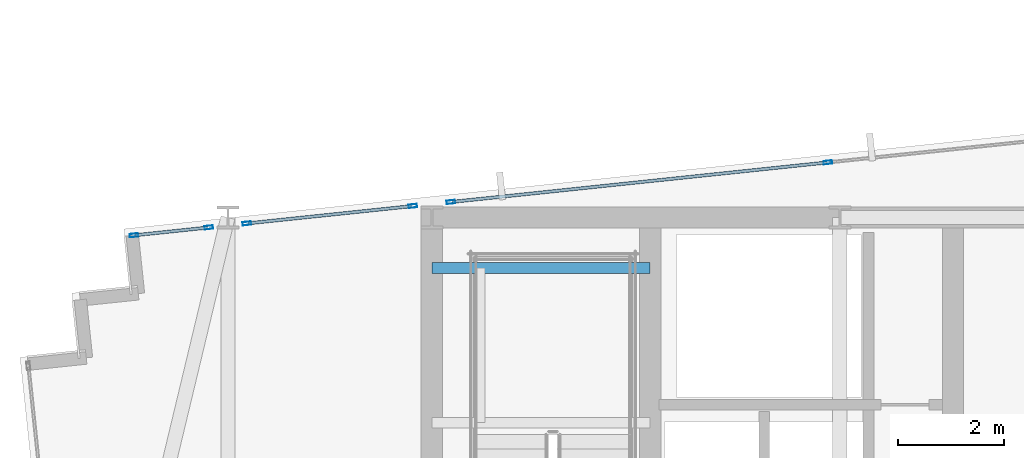
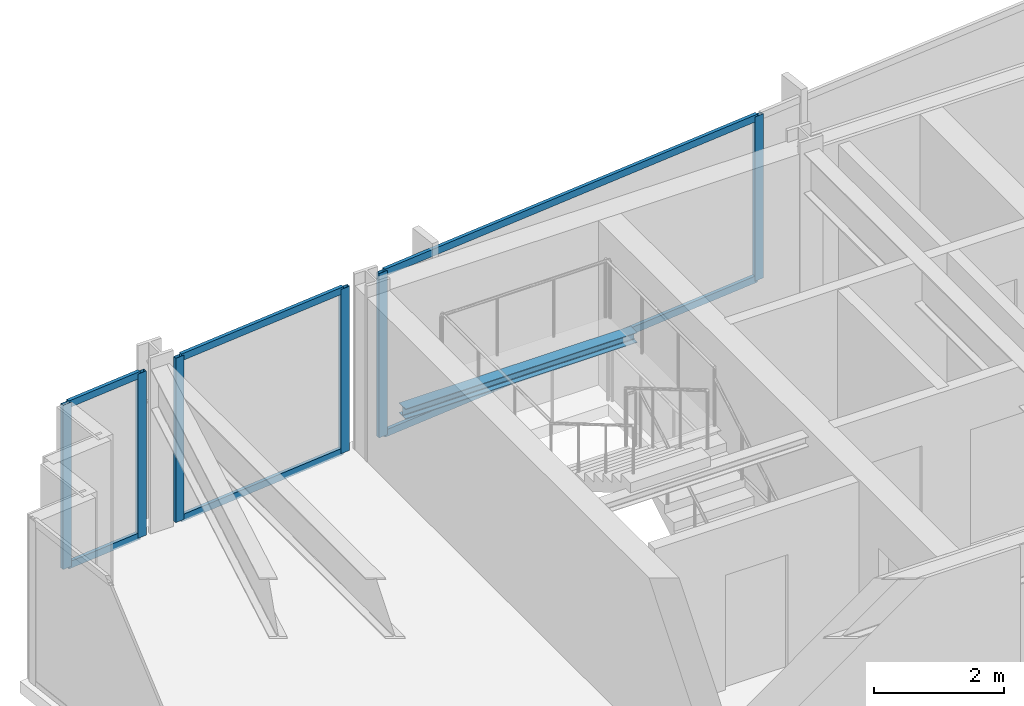
# One storey, part 20 of 33: 12 members, 1 beam, 3 elements without a shape of their own.
"""IFC4 building model written with IfcOpenShell, lengths in metres."""

from ifc_helpers import new_model, si_unit, direction, frame, origin, origin_2d, place, context, subcontext, project, spatial, hollow_rectangle, i_section, extrude, material, material_profile, profile_set, type_object, element, aggregate, save


model = new_model("IFC4")

# Units and contexts
model_context = context("Model", 3, precision=1e-05, world=origin(), true_north=direction((0.0, 1.0)))
body_context = subcontext(model_context, "Body", "Model", "MODEL_VIEW")
ifc_project = project(units=[si_unit("LENGTHUNIT", "METRE"), si_unit("AREAUNIT", "SQUARE_METRE"), si_unit("VOLUMEUNIT", "CUBIC_METRE"), si_unit("PLANEANGLEUNIT", "RADIAN"), si_unit("MASSUNIT", "GRAM", prefix="KILO")], contexts=[model_context])

# Site, building, storey
site_placement = place(None, origin())
site = spatial("IfcSite", under=ifc_project, at=site_placement, CompositionType="ELEMENT")
building_placement = place(site_placement, origin())
building = spatial("IfcBuilding", under=site, at=building_placement, Name="Yelkora Congress Tower", CompositionType="ELEMENT")
storey_placement = place(building_placement, frame((0.0, 0.0, 230.89990234375)))
storey = spatial("IfcBuildingStorey", under=building, at=storey_placement, Name="L64", CompositionType="ELEMENT", Elevation=230.89990234375)

# Beam
ifc_material_1 = material(Name="Steel S355J2", Category="steel")
ifc_material_profile_1 = material_profile(ifc_material_1, i_section(OverallWidth=0.199951171875, OverallDepth=0.18994140625, WebThickness=0.006591796875, FlangeThickness=0.010009765625, FilletRadius=0.01806640625, at=origin_2d()), Name="HEA 200")
ifc_profile_set_1 = profile_set([ifc_material_profile_1], Name="Steel S355J2")
beam_type = type_object("IfcBeamType", Name="BM-LAND-HEA200", PredefinedType="BEAM", material=ifc_profile_set_1)
beam_placement = place(storey_placement, frame((23.0400390625, 45.25, 1.334716796875), z_axis=(1.0, 0.0, 0.0), x_axis=(0.0, 1.0, 0.0)))
element("IfcBeam", 1, at=beam_placement, inside=storey, type_object=beam_type, Name="ST-01 L64 Landing Header Beam 1N", PredefinedType="BEAM", context=body_context, shape_type="SweptSolid", body=[
    extrude(i_section(OverallWidth=0.199951171875, OverallDepth=0.18994140625, WebThickness=0.006591796875, FlangeThickness=0.010009765625, FilletRadius=0.01806640625, at=origin_2d()), origin(), (0.0, 0.0, 1.0), 4.10986328125),
])

# Curtain wall, members
ifc_material_2 = material(Name="Anodised aluminium and insulated glass", Category="aluminium")
curtain_wall_type = type_object("IfcCurtainWallType", Name="CW-SYS-B4", PredefinedType="NOTDEFINED", material=ifc_material_2)
curtain_wall_1_placement = place(storey_placement, origin())
curtain_wall_1 = element("IfcCurtainWall", 2, at=curtain_wall_1_placement, inside=storey, type_object=curtain_wall_type, Name="L64 Unitised Curtain Wall 10 (1)", PredefinedType="NOTDEFINED")
ifc_material_3 = material(Name="Anodised aluminium 6063-T6", Category="aluminium")
ifc_material_profile_2 = material_profile(ifc_material_3, hollow_rectangle(XDim=0.06494140625, YDim=0.159912109375, WallThickness=0.00390625, at=origin_2d()), Name="ALU 65x160x4")
ifc_profile_set_2 = profile_set([ifc_material_profile_2], Name="Anodised aluminium 6063-T6")
member_type_1 = type_object("IfcMemberType", Name="MEM-ML-B4", PredefinedType="MULLION", material=ifc_profile_set_2)
member_1_placement = place(storey_placement, frame((17.431396484375, 45.865966796875, 0.0), z_axis=(0.0, 0.0, 1.0), x_axis=(-0.104509292244, 0.994523910137, 0.0)))
member_1 = element("IfcMember", 3, at=member_1_placement, type_object=member_type_1, Name="CW-B4 mullion 1", PredefinedType="MULLION", context=body_context, shape_type="SweptSolid", body=[
    extrude(hollow_rectangle(XDim=0.06494140625, YDim=0.159912109375, WallThickness=0.00390625, at=origin_2d()), origin(), (0.0, 0.0, 1.0), 3.080078125),
])
member_2_placement = place(storey_placement, frame((18.841796875, 46.01416015625, 0.0), z_axis=(0.0, 0.0, 1.0), x_axis=(-0.104509292244, 0.994523910137, 0.0)))
member_2 = element("IfcMember", 4, at=member_2_placement, type_object=member_type_1, Name="CW-B4 mullion 2", PredefinedType="MULLION", context=body_context, shape_type="SweptSolid", body=[
    extrude(hollow_rectangle(XDim=0.06494140625, YDim=0.159912109375, WallThickness=0.00390625, at=origin_2d()), origin(), (0.0, 0.0, 1.0), 3.080078125),
])

curtain_wall_2_placement = place(storey_placement, origin())
curtain_wall_2 = element("IfcCurtainWall", 5, at=curtain_wall_2_placement, inside=storey, type_object=curtain_wall_type, Name="L64 Unitised Curtain Wall 10 (2)", PredefinedType="NOTDEFINED")
member_3_placement = place(storey_placement, frame((19.558349609375, 46.089599609375, 0.0), z_axis=(0.0, 0.0, 1.0), x_axis=(-0.104506154437, 0.994524239868, 0.0)))
member_3 = element("IfcMember", 6, at=member_3_placement, type_object=member_type_1, Name="CW-B4 mullion 1", PredefinedType="MULLION", context=body_context, shape_type="SweptSolid", body=[
    extrude(hollow_rectangle(XDim=0.06494140625, YDim=0.159912109375, WallThickness=0.00390625, at=origin_2d()), origin(), (0.0, 0.0, 1.0), 3.080078125),
])
member_4_placement = place(storey_placement, frame((22.681640625, 46.417724609375, 0.0), z_axis=(0.0, 0.0, 1.0), x_axis=(-0.104506154437, 0.994524239868, 0.0)))
member_4 = element("IfcMember", 7, at=member_4_placement, type_object=member_type_1, Name="CW-B4 mullion 2", PredefinedType="MULLION", context=body_context, shape_type="SweptSolid", body=[
    extrude(hollow_rectangle(XDim=0.06494140625, YDim=0.159912109375, WallThickness=0.00390625, at=origin_2d()), origin(), (0.0, 0.0, 1.0), 3.080078125),
])

curtain_wall_3_placement = place(storey_placement, origin())
curtain_wall_3 = element("IfcCurtainWall", 8, at=curtain_wall_3_placement, inside=storey, type_object=curtain_wall_type, Name="L64 Unitised Curtain Wall 10 (3)", PredefinedType="NOTDEFINED")
member_5_placement = place(storey_placement, frame((23.3984375, 46.4931640625, 0.0), z_axis=(0.0, 0.0, 1.0), x_axis=(-0.104527724021, 0.994521973066, 0.0)))
member_5 = element("IfcMember", 9, at=member_5_placement, type_object=member_type_1, Name="CW-B4 mullion 1", PredefinedType="MULLION", context=body_context, shape_type="SweptSolid", body=[
    extrude(hollow_rectangle(XDim=0.06494140625, YDim=0.159912109375, WallThickness=0.00390625, at=origin_2d()), origin(), (0.0, 0.0, 1.0), 3.080078125),
])
member_6_placement = place(storey_placement, frame((30.496826171875, 47.2392578125, 0.0), z_axis=(0.0, 0.0, 1.0), x_axis=(-0.104527724021, 0.994521973066, 0.0)))
member_6 = element("IfcMember", 10, at=member_6_placement, type_object=member_type_1, Name="CW-B4 mullion 2", PredefinedType="MULLION", context=body_context, shape_type="SweptSolid", body=[
    extrude(hollow_rectangle(XDim=0.06494140625, YDim=0.159912109375, WallThickness=0.00390625, at=origin_2d()), origin(), (0.0, 0.0, 1.0), 3.080078125),
])

# Member
ifc_material_profile_3 = material_profile(ifc_material_3, hollow_rectangle(XDim=0.06005859375, YDim=0.1298828125, WallThickness=0.00390625, at=origin_2d()), Name="ALU 60x130x4")
ifc_profile_set_3 = profile_set([ifc_material_profile_3], Name="Anodised aluminium 6063-T6")
member_type_2 = type_object("IfcMemberType", Name="MEM-TR-B4", PredefinedType="USERDEFINED", material=ifc_profile_set_3)
member_7_placement = place(storey_placement, frame((17.463623046875, 45.869384765625, 0.030029296875), z_axis=(0.994528168538, 0.10446876081, 0.0), x_axis=(-0.10446876081, 0.994528168538, 0.0)))
member_7 = element("IfcMember", 11, at=member_7_placement, type_object=member_type_2, Name="CW-B4 transom 1.1", ObjectType="TRANSOM", PredefinedType="USERDEFINED", context=body_context, shape_type="SweptSolid", body=[
    extrude(hollow_rectangle(XDim=0.06005859375, YDim=0.1298828125, WallThickness=0.00390625, at=origin_2d()), origin(), (0.0, 0.0, 1.0), 1.35302734375),
])

member_8_placement = place(storey_placement, frame((17.463623046875, 45.869384765625, 3.050048828125), z_axis=(0.994528168538, 0.10446876081, 0.0), x_axis=(-0.10446876081, 0.994528168538, 0.0)))
member_8 = element("IfcMember", 12, at=member_8_placement, type_object=member_type_2, Name="CW-B4 transom 1.2", ObjectType="TRANSOM", PredefinedType="USERDEFINED", context=body_context, shape_type="SweptSolid", body=[
    extrude(hollow_rectangle(XDim=0.06005859375, YDim=0.1298828125, WallThickness=0.00390625, at=origin_2d()), origin(), (0.0, 0.0, 1.0), 1.35302734375),
])

aggregate(curtain_wall_1, [member_1, member_2, member_7, member_8])

member_9_placement = place(storey_placement, frame((19.590576171875, 46.093017578125, 0.030029296875), z_axis=(0.994528915126, 0.104461653149, 0.0), x_axis=(-0.104461653149, 0.994528915126, 0.0)))
member_9 = element("IfcMember", 13, at=member_9_placement, type_object=member_type_2, Name="CW-B4 transom 1.1", ObjectType="TRANSOM", PredefinedType="USERDEFINED", context=body_context, shape_type="SweptSolid", body=[
    extrude(hollow_rectangle(XDim=0.06005859375, YDim=0.1298828125, WallThickness=0.00390625, at=origin_2d()), origin(), (0.0, 0.0, 1.0), 3.07568359375),
])

member_10_placement = place(storey_placement, frame((19.590576171875, 46.093017578125, 3.050048828125), z_axis=(0.994528915126, 0.104461653149, 0.0), x_axis=(-0.104461653149, 0.994528915126, 0.0)))
member_10 = element("IfcMember", 14, at=member_10_placement, type_object=member_type_2, Name="CW-B4 transom 1.2", ObjectType="TRANSOM", PredefinedType="USERDEFINED", context=body_context, shape_type="SweptSolid", body=[
    extrude(hollow_rectangle(XDim=0.06005859375, YDim=0.1298828125, WallThickness=0.00390625, at=origin_2d()), origin(), (0.0, 0.0, 1.0), 3.07568359375),
])

aggregate(curtain_wall_2, [member_3, member_4, member_9, member_10])

member_11_placement = place(storey_placement, frame((23.4306640625, 46.49658203125, 0.030029296875), z_axis=(0.994522085625, 0.104526653081, 0.0), x_axis=(-0.104526653081, 0.994522085625, 0.0)))
member_11 = element("IfcMember", 15, at=member_11_placement, type_object=member_type_2, Name="CW-B4 transom 1.1", ObjectType="TRANSOM", PredefinedType="USERDEFINED", context=body_context, shape_type="SweptSolid", body=[
    extrude(hollow_rectangle(XDim=0.06005859375, YDim=0.1298828125, WallThickness=0.00390625, at=origin_2d()), origin(), (0.0, 0.0, 1.0), 7.072509765625),
])

member_12_placement = place(storey_placement, frame((23.4306640625, 46.49658203125, 3.050048828125), z_axis=(0.994522085625, 0.104526653081, 0.0), x_axis=(-0.104526653081, 0.994522085625, 0.0)))
member_12 = element("IfcMember", 16, at=member_12_placement, type_object=member_type_2, Name="CW-B4 transom 1.2", ObjectType="TRANSOM", PredefinedType="USERDEFINED", context=body_context, shape_type="SweptSolid", body=[
    extrude(hollow_rectangle(XDim=0.06005859375, YDim=0.1298828125, WallThickness=0.00390625, at=origin_2d()), origin(), (0.0, 0.0, 1.0), 7.072509765625),
])

aggregate(curtain_wall_3, [member_5, member_6, member_11, member_12])

save(model, "model.ifc")
